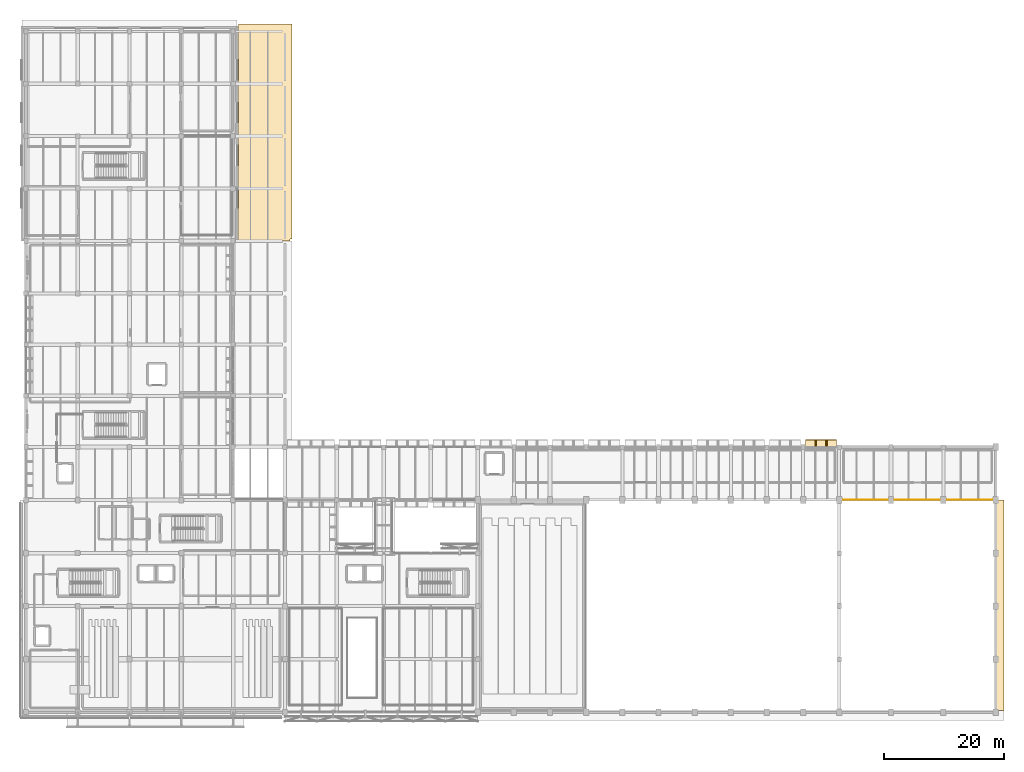
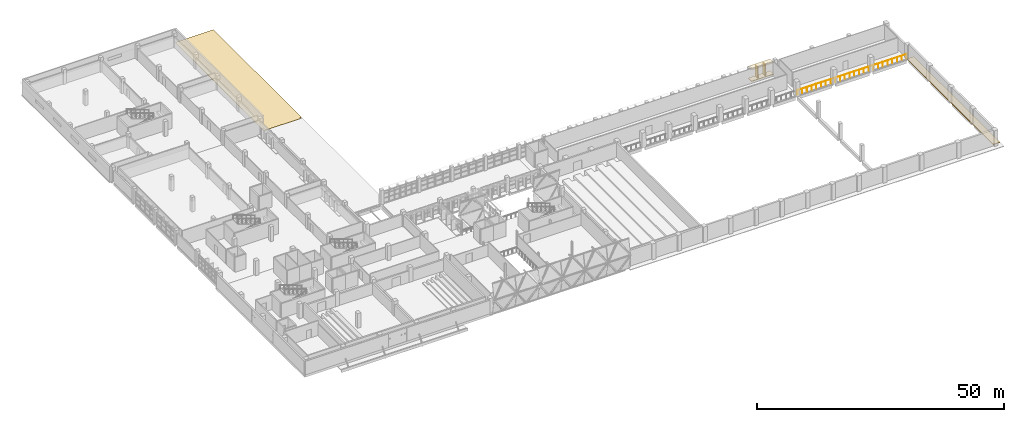
# One storey, part 80 of 80: 4 coverings, 2 shading devices, 1 railing.
"""IFC4 building model written with IfcOpenShell, lengths in metres."""

from ifc_helpers import new_model, si_unit, direction, frame, origin, origin_2d, place, context, subcontext, project, spatial, polyline, rectangle, circle, outline, extrude, material, layer, layer_set, type_object, element, save


model = new_model("IFC4")

# Units and contexts
model_context = context("Model", 3, precision=1e-05, world=origin(), true_north=direction((0.0, 1.0)))
body_context = subcontext(model_context, "Body", "Model", "MODEL_VIEW")
ifc_project = project(units=[si_unit("LENGTHUNIT", "METRE"), si_unit("AREAUNIT", "SQUARE_METRE"), si_unit("VOLUMEUNIT", "CUBIC_METRE"), si_unit("PLANEANGLEUNIT", "RADIAN"), si_unit("MASSUNIT", "GRAM", prefix="KILO")], contexts=[model_context])

# Site, building, storey
site_placement = place(None, origin())
site = spatial("IfcSite", under=ifc_project, at=site_placement, CompositionType="ELEMENT")
building_placement = place(site_placement, origin())
building = spatial("IfcBuilding", under=site, at=building_placement, Name="Varnakota Cinema and Media Centre", CompositionType="ELEMENT")
storey_placement = place(building_placement, frame((0.0, 0.0, 4.5)))
storey = spatial("IfcBuildingStorey", under=building, at=storey_placement, Name="L01", CompositionType="ELEMENT", Elevation=4.5)

# Coverings
ifc_material_1 = material(Name="Precast concrete M40", Category="concrete")
ifc_layer_1 = layer(ifc_material_1, 0.159912109375)
ifc_layer_set_1 = layer_set([ifc_layer_1], Name="Precast concrete M40")
covering_type_1 = type_object("IfcCoveringType", Name="COV-CHAJJA-160", PredefinedType="CLADDING", material=ifc_layer_set_1)
covering_1_placement = place(storey_placement, frame((0.0, 0.0, 2.875)))
element("IfcCovering", 1, at=covering_1_placement, inside=storey, type_object=covering_type_1, Name="L01 Brutalist chajja overhang V1-N-10", PredefinedType="CLADDING", context=body_context, shape_type="SweptSolid", body=[
    extrude(outline(polyline([(129.389892578125, 43.820068359375), (134.5849609375, 43.820068359375), (134.5849609375, 45.219970703125), (129.389892578125, 45.219970703125), (129.389892578125, 43.820068359375)])), origin(), (0.0, 0.0, 1.0), 0.159912109375),
])
covering_2_placement = place(storey_placement, origin())
element("IfcCovering", 2, at=covering_2_placement, inside=storey, type_object=covering_type_1, Name="L01 brise-soleil base plinth V1-N-10", PredefinedType="CLADDING", context=body_context, shape_type="SweptSolid", body=[
    extrude(outline(polyline([(129.389892578125, 43.820068359375), (134.5849609375, 43.820068359375), (134.5849609375, 45.179931640625), (129.389892578125, 45.179931640625), (129.389892578125, 43.820068359375)])), origin(), (0.0, 0.0, 1.0), 0.159912109375),
])
covering_3_placement = place(storey_placement, frame((0.0, 0.0, -0.159912109375)))
element("IfcCovering", 3, at=covering_3_placement, inside=storey, type_object=covering_type_1, Name="L01 broadcast hall colonnade cornice East", PredefinedType="CLADDING", context=body_context, shape_type="SweptSolid", body=[
    extrude(outline(polyline([(160.75, 0.25), (162.35009765625, 0.25), (162.35009765625, 35.199951171875), (160.75, 35.199951171875), (160.75, 0.25)])), origin(), (0.0, 0.0, 1.0), 0.159912109375),
])
ifc_material_2 = material(Name="Pale Tandur limestone cool roof", Category="masonry")
ifc_layer_2 = layer(ifc_material_2, 0.080078125)
ifc_layer_set_2 = layer_set([ifc_layer_2], Name="Pale Tandur limestone cool roof")
covering_type_2 = type_object("IfcCoveringType", Name="COV-COOLROOF-80", PredefinedType="ROOFING", material=ifc_layer_set_2)
covering_4_placement = place(storey_placement, origin())
element("IfcCovering", 4, at=covering_4_placement, inside=storey, type_object=covering_type_2, Name="L01 cool roof membrane ROOF-V7-EAST", PredefinedType="ROOFING", context=body_context, shape_type="SweptSolid", body=[
    extrude(outline(polyline([(35.27001953125, 78.199951171875), (43.85009765625, 78.199951171875), (43.85009765625, 78.550048828125), (44.199951171875, 78.550048828125), (44.199951171875, 114.199951171875), (35.27001953125, 114.199951171875), (35.27001953125, 78.199951171875)])), origin(), (0.0, 0.0, 1.0), 0.080078125),
])

# Railing
ifc_material_3 = material(Name="Anodised golden-bronze steel Grade 350 (E350)", Category="steel")
ifc_layer_3 = layer(ifc_material_3, 0.050048828125)
ifc_layer_set_3 = layer_set([ifc_layer_3], Name="Anodised golden-bronze steel Grade 350 (E350)")
railing_type = type_object("IfcRailingType", Name="RAIL-GUARD-1150", PredefinedType="BALUSTRADE", material=ifc_layer_set_3)
railing_placement = place(storey_placement, frame((135.179931640625, 35.260009765625, 0.0)))
element("IfcRailing", 5, at=railing_placement, inside=storey, type_object=railing_type, Name="L01 guard balustrade GRD-L01-V2GAL-1", PredefinedType="BALUSTRADE", context=body_context, shape_type="SweptSolid", body=[
    extrude(circle(Radius=0.02392578125, at=origin_2d()), frame((0.0, 0.0, 1.1259765625), z_axis=(1.0, 0.0, 0.0), x_axis=(0.0, 1.0, 0.0)), (0.0, 0.0, 1.0), 25.5400390625),
    extrude(circle(Radius=0.02099609375, at=origin_2d()), origin(), (0.0, 0.0, 1.0), 1.101806640625),
    extrude(circle(Radius=0.02099609375, at=origin_2d()), frame((1.1103515625, 0.0, 0.0)), (0.0, 0.0, 1.0), 1.101806640625),
    extrude(circle(Radius=0.02099609375, at=origin_2d()), frame((2.220947265625, 0.0, 0.0)), (0.0, 0.0, 1.0), 1.101806640625),
    extrude(circle(Radius=0.02099609375, at=origin_2d()), frame((3.331298828125, 0.0, 0.0)), (0.0, 0.0, 1.0), 1.101806640625),
    extrude(circle(Radius=0.02099609375, at=origin_2d()), frame((4.441650390625, 0.0, 0.0)), (0.0, 0.0, 1.0), 1.101806640625),
    extrude(circle(Radius=0.02099609375, at=origin_2d()), frame((5.55224609375, 0.0, 0.0)), (0.0, 0.0, 1.0), 1.101806640625),
    extrude(circle(Radius=0.02099609375, at=origin_2d()), frame((6.66259765625, 0.0, 0.0)), (0.0, 0.0, 1.0), 1.101806640625),
    extrude(circle(Radius=0.02099609375, at=origin_2d()), frame((7.77294921875, 0.0, 0.0)), (0.0, 0.0, 1.0), 1.101806640625),
    extrude(circle(Radius=0.02099609375, at=origin_2d()), frame((8.883544921875, 0.0, 0.0)), (0.0, 0.0, 1.0), 1.101806640625),
    extrude(circle(Radius=0.02099609375, at=origin_2d()), frame((9.993896484375, 0.0, 0.0)), (0.0, 0.0, 1.0), 1.101806640625),
    extrude(circle(Radius=0.02099609375, at=origin_2d()), frame((11.104248046875, 0.0, 0.0)), (0.0, 0.0, 1.0), 1.101806640625),
    extrude(circle(Radius=0.02099609375, at=origin_2d()), frame((12.21484375, 0.0, 0.0)), (0.0, 0.0, 1.0), 1.101806640625),
    extrude(circle(Radius=0.02099609375, at=origin_2d()), frame((13.3251953125, 0.0, 0.0)), (0.0, 0.0, 1.0), 1.101806640625),
    extrude(circle(Radius=0.02099609375, at=origin_2d()), frame((14.435791015625, 0.0, 0.0)), (0.0, 0.0, 1.0), 1.101806640625),
    extrude(circle(Radius=0.02099609375, at=origin_2d()), frame((15.546142578125, 0.0, 0.0)), (0.0, 0.0, 1.0), 1.101806640625),
    extrude(circle(Radius=0.02099609375, at=origin_2d()), frame((16.656494140625, 0.0, 0.0)), (0.0, 0.0, 1.0), 1.101806640625),
    extrude(circle(Radius=0.02099609375, at=origin_2d()), frame((17.76708984375, 0.0, 0.0)), (0.0, 0.0, 1.0), 1.101806640625),
    extrude(circle(Radius=0.02099609375, at=origin_2d()), frame((18.87744140625, 0.0, 0.0)), (0.0, 0.0, 1.0), 1.101806640625),
    extrude(circle(Radius=0.02099609375, at=origin_2d()), frame((19.98779296875, 0.0, 0.0)), (0.0, 0.0, 1.0), 1.101806640625),
    extrude(circle(Radius=0.02099609375, at=origin_2d()), frame((21.098388671875, 0.0, 0.0)), (0.0, 0.0, 1.0), 1.101806640625),
    extrude(circle(Radius=0.02099609375, at=origin_2d()), frame((22.208740234375, 0.0, 0.0)), (0.0, 0.0, 1.0), 1.101806640625),
    extrude(circle(Radius=0.02099609375, at=origin_2d()), frame((23.319091796875, 0.0, 0.0)), (0.0, 0.0, 1.0), 1.101806640625),
    extrude(circle(Radius=0.02099609375, at=origin_2d()), frame((24.4296875, 0.0, 0.0)), (0.0, 0.0, 1.0), 1.101806640625),
    extrude(circle(Radius=0.02099609375, at=origin_2d()), frame((25.5400390625, 0.0, 0.0)), (0.0, 0.0, 1.0), 1.101806640625),
])

# Shading devices
ifc_material_4 = material(Name="Precast concrete M40", Category="concrete")
shading_device_type = type_object("IfcShadingDeviceType", Name="SHD-BRISE-FIN-240", PredefinedType="JALOUSIE", material=ifc_material_4)
for number, where, z_axis, x_axis, name in (
    (6, (131.1083984375, 44.6298828125, 0.14990234375), (0.0, 0.0, 1.0), (1.0, 0.0, 0.0), "L01 vertical concrete brise-soleil fin V1-N-10.1"),
    (7, (132.86669921875, 44.6298828125, 0.14990234375), (0.0, 0.0, 1.0), (1.0, 0.0, 0.0), "L01 vertical concrete brise-soleil fin V1-N-10.2"),
):
    element("IfcShadingDevice", number, at=place(storey_placement, frame(where, z_axis=z_axis, x_axis=x_axis)), inside=storey, type_object=shading_device_type, Name=name, PredefinedType="JALOUSIE", context=body_context, shape_type="SweptSolid", body=[
        extrude(rectangle(XDim=0.239990234375, YDim=1.02001953125, at=origin_2d()), origin(), (0.0, 0.0, 1.0), 2.735107421875),
    ])

save(model, "model.ifc")
